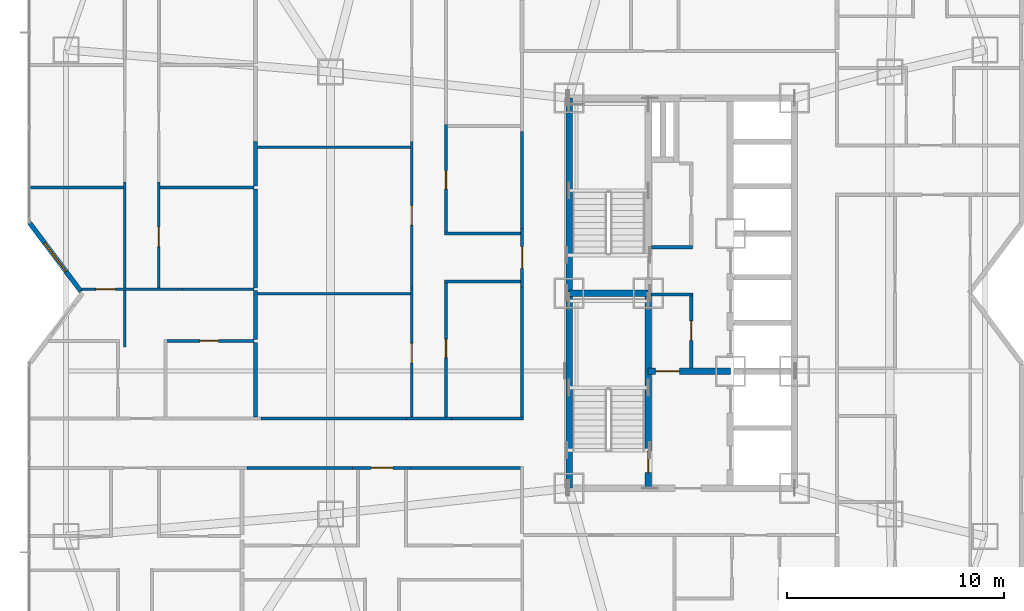
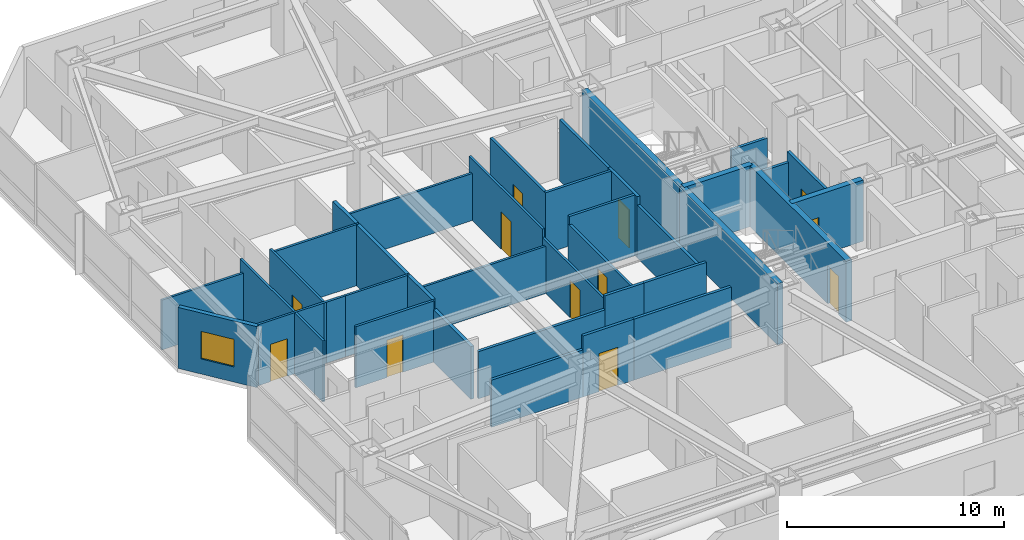
# One storey, part 19 of 25: 37 walls, 12 doors, 1 window, 13 openings.
"""IFC4 building model written with IfcOpenShell, lengths in metres."""

from ifc_helpers import new_model, si_unit, direction, frame, frame_2d, origin, place, context, subcontext, project, spatial, rectangle, extrude, material, layer, layer_set, type_object, element, fill, save


model = new_model("IFC4")

# Units and contexts
model_context = context("Model", 3, precision=1e-05, world=origin(), true_north=direction((0.0, 1.0)))
body_context = subcontext(model_context, "Body", "Model", "MODEL_VIEW")
ifc_project = project(units=[si_unit("LENGTHUNIT", "METRE"), si_unit("AREAUNIT", "SQUARE_METRE"), si_unit("VOLUMEUNIT", "CUBIC_METRE"), si_unit("PLANEANGLEUNIT", "RADIAN"), si_unit("MASSUNIT", "GRAM", prefix="KILO")], contexts=[model_context])

# Site, building, storey
site_placement = place(None, origin())
site = spatial("IfcSite", under=ifc_project, at=site_placement, CompositionType="ELEMENT")
building_placement = place(site_placement, origin())
building = spatial("IfcBuilding", under=site, at=building_placement, Name="Khamvora Tower", CompositionType="ELEMENT")
storey_placement = place(building_placement, frame((0.0, 0.0, 36.949951171875)))
storey = spatial("IfcBuildingStorey", under=building, at=storey_placement, Name="L08", CompositionType="ELEMENT", Elevation=36.949951171875)

# Walls
ifc_material_1 = material(Name="Concrete C50/60", Category="concrete")
ifc_layer_1 = layer(ifc_material_1, 0.300048828125)
ifc_layer_set_1 = layer_set([ifc_layer_1], Name="Concrete C50/60")
wall_type_1 = type_object("IfcWallType", Name="WAL-CORE-300", PredefinedType="SHEAR", material=ifc_layer_set_1)
for number, where, z_axis, x_axis, name in (
    (1, (29.0, 19.0, 0.0), (0.0, 0.0, 1.0), (0.0, 1.0, 0.0), "L08 central core west south wall"),
    (2, (29.0, 28.0, 0.0), (0.0, 0.0, 1.0), (0.0, 1.0, 0.0), "L08 central core west north wall"),
):
    element("IfcWall", number, at=place(storey_placement, frame(where, z_axis=z_axis, x_axis=x_axis)), inside=storey, type_object=wall_type_1, Name=name, PredefinedType="SHEAR", context=body_context, shape_type="SweptSolid", body=[
        extrude(rectangle(XDim=9.0, YDim=0.300048828125, at=frame_2d((4.5, 0.0))), origin(), (0.0, 0.0, 1.0), 3.429931640625),
    ])

# Wall, opening, door
wall_1_placement = place(storey_placement, frame((32.64990234375, 19.0, 0.0), z_axis=(0.0, 0.0, 1.0), x_axis=(0.0, 1.0, 0.0)))
wall_1 = element("IfcWall", 3, at=wall_1_placement, inside=storey, type_object=wall_type_1, Name="L08 central core stair south spine wall", PredefinedType="SHEAR", context=body_context, shape_type="SweptSolid", body=[
    extrude(rectangle(XDim=9.0, YDim=0.300048828125, at=frame_2d((4.5, 0.0))), origin(), (0.0, 0.0, 1.0), 3.429931640625),
])
opening_1_placement = place(wall_1_placement, frame((0.719970703125, 0.0, 0.0)))
opening_1 = element("IfcOpeningElement", 4, at=opening_1_placement, cuts=wall_1, Name="Opening D-ST1", PredefinedType="OPENING", context=body_context, shape_type="SweptSolid", body=[
    extrude(rectangle(XDim=1.0, YDim=2.14990234375, at=frame_2d((0.5, 1.074951171875))), frame((0.0, 0.159912109375, 0.0), z_axis=(0.0, -1.0, 0.0), x_axis=(1.0, 0.0, 0.0)), (0.0, 0.0, 1.0), 0.320068359375),
])
ifc_material_2 = material(Name="Powder-Coated Steel and Hardwood Leaf", Category="steel")
door_type_1 = type_object("IfcDoorType", Name="DOR-STAIR-1000", OperationType="NOTDEFINED", PredefinedType="DOOR", material=ifc_material_2)
door_1_placement = place(opening_1_placement, origin())
door_1 = element("IfcDoor", 5, at=door_1_placement, inside=storey, type_object=door_type_1, Name="L08 exit stair ST-01 fire door", OperationType="SINGLE_SWING_RIGHT", OverallHeight=2.14990234375, OverallWidth=1.0, PredefinedType="DOOR", context=body_context, shape_type="SweptSolid", body=[
    extrude(rectangle(XDim=1.0, YDim=2.14990234375, at=frame_2d((0.5, 1.074951171875))), frame((0.0, 0.02490234375, 0.0), z_axis=(0.0, -1.0, 0.0), x_axis=(1.0, 0.0, 0.0)), (0.0, 0.0, 1.0), 0.050048828125),
])
fill(opening_1, door_1)

# Wall
wall_2_placement = place(storey_placement, frame((29.0, 28.0, 0.0), z_axis=(0.0, 0.0, 1.0), x_axis=(1.0, 0.0, 0.0)))
element("IfcWall", 6, at=wall_2_placement, inside=storey, type_object=wall_type_1, Name="L08 central core stair cross wall", PredefinedType="SHEAR", context=body_context, shape_type="SweptSolid", body=[
    extrude(rectangle(XDim=3.64990234375, YDim=0.300048828125, at=frame_2d((1.824951171875, 0.0))), origin(), (0.0, 0.0, 1.0), 3.429931640625),
])

# Wall, opening, door
wall_3_placement = place(storey_placement, frame((32.64990234375, 24.39990234375, 0.0), z_axis=(0.0, 0.0, 1.0), x_axis=(1.0, 0.0, 0.0)))
wall_3 = element("IfcWall", 7, at=wall_3_placement, inside=storey, type_object=wall_type_1, Name="L08 central core firefighting lobby north wall", PredefinedType="SHEAR", context=body_context, shape_type="SweptSolid", body=[
    extrude(rectangle(XDim=3.800048828125, YDim=0.300048828125, at=frame_2d((1.89990234375, 0.0))), origin(), (0.0, 0.0, 1.0), 3.429931640625),
])
opening_2_placement = place(wall_3_placement, frame((0.35009765625, 0.0, 0.0)))
opening_2 = element("IfcOpeningElement", 8, at=opening_2_placement, cuts=wall_3, Name="Opening D-FF1", PredefinedType="OPENING", context=body_context, shape_type="SweptSolid", body=[
    extrude(rectangle(XDim=1.10009765625, YDim=2.14990234375, at=frame_2d((0.550048828125, 1.074951171875))), frame((0.0, 0.159912109375, 0.0), z_axis=(0.0, -1.0, 0.0), x_axis=(1.0, 0.0, 0.0)), (0.0, 0.0, 1.0), 0.320068359375),
])
door_type_2 = type_object("IfcDoorType", Name="DOR-FFLOB-1100", OperationType="NOTDEFINED", PredefinedType="DOOR", material=ifc_material_2)
door_2_placement = place(opening_2_placement, origin())
door_2 = element("IfcDoor", 9, at=door_2_placement, inside=storey, type_object=door_type_2, Name="L08 firefighting lobby smoke-seal fire door", OperationType="SINGLE_SWING_LEFT", OverallHeight=2.14990234375, OverallWidth=1.10009765625, PredefinedType="DOOR", context=body_context, shape_type="SweptSolid", body=[
    extrude(rectangle(XDim=1.10009765625, YDim=2.14990234375, at=frame_2d((0.550048828125, 1.074951171875))), frame((0.0, 0.02490234375, 0.0), z_axis=(0.0, -1.0, 0.0), x_axis=(1.0, 0.0, 0.0)), (0.0, 0.0, 1.0), 0.050048828125),
])
fill(opening_2, door_2)

# Wall
ifc_material_3 = material(Name="Fire-Rated Drywall and Steel Stud", Category="steel")
ifc_layer_2 = layer(ifc_material_3, 0.14990234375)
ifc_layer_set_2 = layer_set([ifc_layer_2], Name="Fire-Rated Drywall and Steel Stud")
wall_type_2 = type_object("IfcWallType", Name="WAL-CORR-150", PredefinedType="STANDARD", material=ifc_layer_set_2)
wall_4_placement = place(storey_placement, frame((32.7939453125, 30.114990234375, 0.0), z_axis=(0.0, 0.0, 1.0), x_axis=(1.0, 0.0, 0.0)))
element("IfcWall", 10, at=wall_4_placement, inside=storey, type_object=wall_type_2, Name="L08 interior partition wall 001", PredefinedType="STANDARD", context=body_context, shape_type="SweptSolid", body=[
    extrude(rectangle(XDim=1.906005859375, YDim=0.14990234375, at=frame_2d((0.953125, 0.0))), origin(), (0.0, 0.0, 1.0), 2.886962890625),
])

# Wall, opening, door
wall_5_placement = place(storey_placement, frame((34.635009765625, 24.5439453125, 0.0), z_axis=(0.0, 0.0, 1.0), x_axis=(0.0, 1.0, 0.0)))
wall_5 = element("IfcWall", 11, at=wall_5_placement, inside=storey, type_object=wall_type_2, Name="L08 interior partition wall 004", PredefinedType="STANDARD", context=body_context, shape_type="SweptSolid", body=[
    extrude(rectangle(XDim=3.4560546875, YDim=0.14990234375, at=frame_2d((1.72802734375, 0.0))), origin(), (0.0, 0.0, 1.0), 3.429931640625),
])
opening_3_placement = place(wall_5_placement, frame((1.278076171875, 0.0, 0.0)))
opening_3 = element("IfcOpeningElement", 12, at=opening_3_placement, cuts=wall_5, Name="Opening D-RM1", PredefinedType="OPENING", context=body_context, shape_type="SweptSolid", body=[
    extrude(rectangle(XDim=0.89990234375, YDim=2.10009765625, at=frame_2d((0.449951171875, 1.050048828125))), frame((0.0, 0.0849609375, 0.0), z_axis=(0.0, -1.0, 0.0), x_axis=(1.0, 0.0, 0.0)), (0.0, 0.0, 1.0), 0.169921875),
])
door_type_3 = type_object("IfcDoorType", Name="DOR-ROOM-900", OperationType="NOTDEFINED", PredefinedType="DOOR", material=ifc_material_2)
door_3_placement = place(opening_3_placement, origin())
door_3 = element("IfcDoor", 13, at=door_3_placement, inside=storey, type_object=door_type_3, Name="L08 interior door PLL-CS2", OperationType="SINGLE_SWING_LEFT", OverallHeight=2.10009765625, OverallWidth=0.89990234375, PredefinedType="DOOR", context=body_context, shape_type="SweptSolid", body=[
    extrude(rectangle(XDim=0.89990234375, YDim=2.10009765625, at=frame_2d((0.449951171875, 1.050048828125))), frame((0.0, 0.02490234375, 0.0), z_axis=(0.0, -1.0, 0.0), x_axis=(1.0, 0.0, 0.0)), (0.0, 0.0, 1.0), 0.050048828125),
])
fill(opening_3, door_3)

# Wall
wall_6_placement = place(storey_placement, frame((34.699951171875, 27.93505859375, 0.0), z_axis=(0.0, 0.0, 1.0), x_axis=(-1.0, 0.0, 0.0)))
element("IfcWall", 14, at=wall_6_placement, inside=storey, type_object=wall_type_2, Name="L08 interior partition wall 005", PredefinedType="STANDARD", context=body_context, shape_type="SweptSolid", body=[
    extrude(rectangle(XDim=1.906005859375, YDim=0.14990234375, at=frame_2d((0.953125, 0.0))), origin(), (0.0, 0.0, 1.0), 2.886962890625),
])

# Wall, opening, door
wall_7_placement = place(storey_placement, frame((21.718994140625, 19.93505859375, 0.0), z_axis=(0.0, 0.0, 1.0), x_axis=(-1.0, 0.0, 0.0)))
wall_7 = element("IfcWall", 15, at=wall_7_placement, inside=storey, type_object=wall_type_2, Name="L08 interior partition wall 010", PredefinedType="STANDARD", context=body_context, shape_type="SweptSolid", body=[
    extrude(rectangle(XDim=2.697998046875, YDim=0.14990234375, at=frame_2d((1.34912109375, 0.0))), origin(), (0.0, 0.0, 1.0), 3.429931640625),
])
opening_4_placement = place(wall_7_placement, frame((0.84912109375, 0.0, 0.0)))
opening_4 = element("IfcOpeningElement", 16, at=opening_4_placement, cuts=wall_7, Name="Opening D-U1", PredefinedType="OPENING", context=body_context, shape_type="SweptSolid", body=[
    extrude(rectangle(XDim=1.0, YDim=2.14990234375, at=frame_2d((0.5, 1.074951171875))), frame((0.0, 0.0849609375, 0.0), z_axis=(0.0, -1.0, 0.0), x_axis=(1.0, 0.0, 0.0)), (0.0, 0.0, 1.0), 0.169921875),
])
door_type_4 = type_object("IfcDoorType", Name="DOR-UNIT-1000", OperationType="NOTDEFINED", PredefinedType="DOOR", material=ifc_material_2)
door_4_placement = place(opening_4_placement, origin())
door_4 = element("IfcDoor", 17, at=door_4_placement, inside=storey, type_object=door_type_4, Name="L08 interior door COR-08WBH", OperationType="SINGLE_SWING_RIGHT", OverallHeight=2.14990234375, OverallWidth=1.0, PredefinedType="DOOR", context=body_context, shape_type="SweptSolid", body=[
    extrude(rectangle(XDim=1.0, YDim=2.14990234375, at=frame_2d((0.5, 1.074951171875))), frame((0.0, 0.02490234375, 0.0), z_axis=(0.0, -1.0, 0.0), x_axis=(1.0, 0.0, 0.0)), (0.0, 0.0, 1.0), 0.050048828125),
])
fill(opening_4, door_4)

# Walls
wall_8_placement = place(storey_placement, frame((26.89794921875, 19.93505859375, 0.0), z_axis=(0.0, 0.0, 1.0), x_axis=(-1.0, 0.0, 0.0)))
element("IfcWall", 18, at=wall_8_placement, inside=storey, type_object=wall_type_2, Name="L08 interior partition wall 012", PredefinedType="STANDARD", context=body_context, shape_type="SweptSolid", body=[
    extrude(rectangle(XDim=5.178955078125, YDim=0.14990234375, at=frame_2d((2.58935546875, 0.0))), origin(), (0.0, 0.0, 1.0), 3.429931640625),
])
wall_9_placement = place(storey_placement, frame((19.02099609375, 19.93505859375, 0.0), z_axis=(0.0, 0.0, 1.0), x_axis=(-1.0, 0.0, 0.0)))
element("IfcWall", 19, at=wall_9_placement, inside=storey, type_object=wall_type_2, Name="L08 interior partition wall 013", PredefinedType="STANDARD", context=body_context, shape_type="SweptSolid", body=[
    extrude(rectangle(XDim=4.866943359375, YDim=0.14990234375, at=frame_2d((2.43359375, 0.0))), origin(), (0.0, 0.0, 1.0), 2.64697265625),
])

# Wall, opening, door
wall_10_placement = place(storey_placement, frame((26.8349609375, 28.2919921875, 0.0), z_axis=(0.0, 0.0, 1.0), x_axis=(0.0, 1.0, 0.0)))
wall_10 = element("IfcWall", 20, at=wall_10_placement, inside=storey, type_object=wall_type_2, Name="L08 interior partition wall 018", PredefinedType="STANDARD", context=body_context, shape_type="SweptSolid", body=[
    extrude(rectangle(XDim=2.697998046875, YDim=0.14990234375, at=frame_2d((1.34912109375, 0.0))), origin(), (0.0, 0.0, 1.0), 3.429931640625),
])
opening_5_placement = place(wall_10_placement, frame((0.84912109375, 0.0, 0.0)))
opening_5 = element("IfcOpeningElement", 21, at=opening_5_placement, cuts=wall_10, Name="Opening D-U1", PredefinedType="OPENING", context=body_context, shape_type="SweptSolid", body=[
    extrude(rectangle(XDim=1.0, YDim=2.14990234375, at=frame_2d((0.5, 1.074951171875))), frame((0.0, 0.0849609375, 0.0), z_axis=(0.0, -1.0, 0.0), x_axis=(1.0, 0.0, 0.0)), (0.0, 0.0, 1.0), 0.169921875),
])
door_5_placement = place(opening_5_placement, origin())
door_5 = element("IfcDoor", 22, at=door_5_placement, inside=storey, type_object=door_type_4, Name="L08 interior door COR-08WC2H", OperationType="SINGLE_SWING_RIGHT", OverallHeight=2.14990234375, OverallWidth=1.0, PredefinedType="DOOR", context=body_context, shape_type="SweptSolid", body=[
    extrude(rectangle(XDim=1.0, YDim=2.14990234375, at=frame_2d((0.5, 1.074951171875))), frame((0.0, 0.02490234375, 0.0), z_axis=(0.0, -1.0, 0.0), x_axis=(1.0, 0.0, 0.0)), (0.0, 0.0, 1.0), 0.050048828125),
])
fill(opening_5, door_5)

# Walls
wall_11_placement = place(storey_placement, frame((21.4951171875, 22.215087890625, 0.0), z_axis=(0.0, 0.0, 1.0), x_axis=(1.0, 0.0, 0.0)))
element("IfcWall", 23, at=wall_11_placement, inside=storey, type_object=wall_type_2, Name="L08 interior partition wall 019", PredefinedType="STANDARD", context=body_context, shape_type="SweptSolid", body=[
    extrude(rectangle(XDim=2.077880859375, YDim=0.14990234375, at=frame_2d((1.0390625, 0.0))), origin(), (0.0, 0.0, 1.0), 3.429931640625),
])
wall_12_placement = place(storey_placement, frame((26.8349609375, 30.989990234375, 0.0), z_axis=(0.0, 0.0, 1.0), x_axis=(0.0, 1.0, 0.0)))
element("IfcWall", 24, at=wall_12_placement, inside=storey, type_object=wall_type_2, Name="L08 interior partition wall 020", PredefinedType="STANDARD", context=body_context, shape_type="SweptSolid", body=[
    extrude(rectangle(XDim=4.467041015625, YDim=0.14990234375, at=frame_2d((2.2333984375, 0.0))), origin(), (0.0, 0.0, 1.0), 3.429931640625),
])
wall_13_placement = place(storey_placement, frame((26.8349609375, 22.14990234375, 0.0), z_axis=(0.0, 0.0, 1.0), x_axis=(0.0, 1.0, 0.0)))
element("IfcWall", 25, at=wall_13_placement, inside=storey, type_object=wall_type_2, Name="L08 interior partition wall 021", PredefinedType="STANDARD", context=body_context, shape_type="SweptSolid", body=[
    extrude(rectangle(XDim=6.14208984375, YDim=0.14990234375, at=frame_2d((3.071044921875, 0.0))), origin(), (0.0, 0.0, 1.0), 2.95703125),
])
wall_14_placement = place(storey_placement, frame((23.572998046875, 22.215087890625, 0.0), z_axis=(0.0, 0.0, 1.0), x_axis=(1.0, 0.0, 0.0)))
element("IfcWall", 26, at=wall_14_placement, inside=storey, type_object=wall_type_2, Name="L08 interior partition wall 022", PredefinedType="STANDARD", context=body_context, shape_type="SweptSolid", body=[
    extrude(rectangle(XDim=3.324951171875, YDim=0.14990234375, at=frame_2d((1.66259765625, 0.0))), origin(), (0.0, 0.0, 1.0), 3.429931640625),
])
wall_15_placement = place(storey_placement, frame((14.782958984375, 22.215087890625, 0.0), z_axis=(0.0, 0.0, 1.0), x_axis=(1.0, 0.0, 0.0)))
element("IfcWall", 27, at=wall_15_placement, inside=storey, type_object=wall_type_2, Name="L08 interior partition wall 023", PredefinedType="STANDARD", context=body_context, shape_type="SweptSolid", body=[
    extrude(rectangle(XDim=6.712158203125, YDim=0.14990234375, at=frame_2d((3.35595703125, 0.0))), origin(), (0.0, 0.0, 1.0), 2.64697265625),
])
ifc_material_4 = material(Name="Acoustic Double-Stud Fire Wall", Category="gypsum")
ifc_layer_3 = layer(ifc_material_4, 0.179931640625)
ifc_layer_set_3 = layer_set([ifc_layer_3], Name="Acoustic Double-Stud Fire Wall")
wall_type_3 = type_object("IfcWallType", Name="WAL-CORR-180", PredefinedType="STANDARD", material=ifc_layer_set_3)
wall_16_placement = place(storey_placement, frame((14.533935546875, 28.110107421875, 0.0), z_axis=(0.0, 0.0, 1.0), x_axis=(0.0, -1.0, 0.0)))
element("IfcWall", 28, at=wall_16_placement, inside=storey, type_object=wall_type_3, Name="L08 interior partition wall 090", PredefinedType="STANDARD", context=body_context, shape_type="SweptSolid", body=[
    extrude(rectangle(XDim=2.25, YDim=0.179931640625, at=frame_2d((1.125, 0.0))), origin(), (0.0, 0.0, 1.0), 3.429931640625),
])
wall_17_placement = place(storey_placement, frame((14.533935546875, 25.72998046875, 0.0), z_axis=(0.0, 0.0, 1.0), x_axis=(0.0, -1.0, 0.0)))
element("IfcWall", 29, at=wall_17_placement, inside=storey, type_object=wall_type_3, Name="L08 interior partition wall 091", PredefinedType="STANDARD", context=body_context, shape_type="SweptSolid", body=[
    extrude(rectangle(XDim=3.449951171875, YDim=0.179931640625, at=frame_2d((1.72509765625, 0.0))), origin(), (0.0, 0.0, 1.0), 2.95703125),
])
wall_18_placement = place(storey_placement, frame((14.533935546875, 32.80810546875, 0.0), z_axis=(0.0, 0.0, 1.0), x_axis=(0.0, -1.0, 0.0)))
element("IfcWall", 30, at=wall_18_placement, inside=storey, type_object=wall_type_3, Name="L08 interior partition wall 096", PredefinedType="STANDARD", context=body_context, shape_type="SweptSolid", body=[
    extrude(rectangle(XDim=4.568115234375, YDim=0.179931640625, at=frame_2d((2.2841796875, 0.0))), origin(), (0.0, 0.0, 1.0), 3.429931640625),
])
wall_19_placement = place(storey_placement, frame((14.533935546875, 34.986083984375, 0.0), z_axis=(0.0, 0.0, 1.0), x_axis=(0.0, -1.0, 0.0)))
element("IfcWall", 31, at=wall_19_placement, inside=storey, type_object=wall_type_3, Name="L08 interior partition wall 098", PredefinedType="STANDARD", context=body_context, shape_type="SweptSolid", body=[
    extrude(rectangle(XDim=2.048095703125, YDim=0.179931640625, at=frame_2d((1.02392578125, 0.0))), origin(), (0.0, 0.0, 1.0), 3.429931640625),
])

# Wall, opening, window
ifc_material_5 = material(Name="Precast concrete C40/50", Category="concrete")
ifc_layer_4 = layer(ifc_material_5, 0.219970703125)
ifc_layer_set_4 = layer_set([ifc_layer_4], Name="Precast concrete C40/50")
wall_type_4 = type_object("IfcWallType", Name="WAL-EXT-220", PredefinedType="STANDARD", material=ifc_layer_set_4)
wall_20_placement = place(storey_placement, frame((6.47998046875, 28.076904296875, 0.0), z_axis=(0.0, 0.0, 1.0), x_axis=(-0.599960442794, 0.800029666377, 0.0)))
wall_20 = element("IfcWall", 32, at=wall_20_placement, inside=storey, type_object=wall_type_4, Name="L08 exterior facade wall 04.1", PredefinedType="STANDARD", context=body_context, shape_type="SweptSolid", body=[
    extrude(rectangle(XDim=3.949951171875, YDim=0.219970703125, at=frame_2d((1.97509765625, 0.0))), origin(), (0.0, 0.0, 1.0), 3.429931640625),
])
opening_6_placement = place(wall_20_placement, frame((1.14990234375, 0.0, 0.85009765625)))
opening_6 = element("IfcOpeningElement", 33, at=opening_6_placement, cuts=wall_20, Name="Opening WN-06", PredefinedType="OPENING", context=body_context, shape_type="SweptSolid", body=[
    extrude(rectangle(XDim=1.64990234375, YDim=1.550048828125, at=frame_2d((0.824951171875, 0.77490234375))), frame((0.0, 0.119873046875, 0.0), z_axis=(0.0, -1.0, 0.0), x_axis=(1.0, 0.0, 0.0)), (0.0, 0.0, 1.0), 0.239990234375),
])
ifc_material_6 = material(Name="Low-E Laminated Double Glazing", Category="glass")
window_type = type_object("IfcWindowType", Name="WIN-VIS-1650x1550", PartitioningType="SINGLE_PANEL", PredefinedType="WINDOW", material=ifc_material_6)
window_placement = place(opening_6_placement, origin())
window = element("IfcWindow", 34, at=window_placement, inside=storey, type_object=window_type, Name="L08 vision window 04.1.01", OverallHeight=1.550048828125, OverallWidth=1.64990234375, PartitioningType="SINGLE_PANEL", PredefinedType="WINDOW", context=body_context, shape_type="SweptSolid", body=[
    extrude(rectangle(XDim=1.64990234375, YDim=1.550048828125, at=frame_2d((0.824951171875, 0.77490234375))), frame((0.0, 0.030029296875, 0.0), z_axis=(0.0, -1.0, 0.0), x_axis=(1.0, 0.0, 0.0)), (0.0, 0.0, 1.0), 0.06005859375),
])
fill(opening_6, window)

# Wall, opening, door
ifc_material_7 = material(Name="Gypsum Plasterboard Partition", Category="gypsum")
ifc_layer_5 = layer(ifc_material_7, 0.1201171875)
ifc_layer_set_5 = layer_set([ifc_layer_5], Name="Gypsum Plasterboard Partition")
wall_type_5 = type_object("IfcWallType", Name="WAL-PART-120", PredefinedType="PARTITIONING", material=ifc_layer_set_5)
wall_21_placement = place(storey_placement, frame((6.51806640625, 28.175048828125, 0.0), z_axis=(0.0, 0.0, 1.0), x_axis=(1.0, 0.0, 0.0)))
wall_21 = element("IfcWall", 35, at=wall_21_placement, inside=storey, type_object=wall_type_5, Name="L08 interior partition wall 080", PredefinedType="PARTITIONING", context=body_context, shape_type="SweptSolid", body=[
    extrude(rectangle(XDim=4.65087890625, YDim=0.1201171875, at=frame_2d((2.325439453125, 0.0))), origin(), (0.0, 0.0, 1.0), 3.429931640625),
])
opening_7_placement = place(wall_21_placement, frame((0.64697265625, 0.0, 0.0)))
opening_7 = element("IfcOpeningElement", 36, at=opening_7_placement, cuts=wall_21, Name="Opening D-RM1", PredefinedType="OPENING", context=body_context, shape_type="SweptSolid", body=[
    extrude(rectangle(XDim=0.89990234375, YDim=2.10009765625, at=frame_2d((0.449951171875, 1.050048828125))), frame((0.0, 0.070068359375, 0.0), z_axis=(0.0, -1.0, 0.0), x_axis=(1.0, 0.0, 0.0)), (0.0, 0.0, 1.0), 0.14013671875),
])
door_6_placement = place(opening_7_placement, origin())
door_6 = element("IfcDoor", 37, at=door_6_placement, inside=storey, type_object=door_type_3, Name="L08 interior door 08WC1H-08WC1L", OperationType="SINGLE_SWING_LEFT", OverallHeight=2.10009765625, OverallWidth=0.89990234375, PredefinedType="DOOR", context=body_context, shape_type="SweptSolid", body=[
    extrude(rectangle(XDim=0.89990234375, YDim=2.10009765625, at=frame_2d((0.449951171875, 1.050048828125))), frame((0.0, 0.02490234375, 0.0), z_axis=(0.0, -1.0, 0.0), x_axis=(1.0, 0.0, 0.0)), (0.0, 0.0, 1.0), 0.050048828125),
])
fill(opening_7, door_6)

# Wall
wall_22_placement = place(storey_placement, frame((8.50390625, 25.510009765625, 0.0), z_axis=(0.0, 0.0, 1.0), x_axis=(0.0, 1.0, 0.0)))
element("IfcWall", 38, at=wall_22_placement, inside=storey, type_object=wall_type_5, Name="L08 interior partition wall 081", PredefinedType="PARTITIONING", context=body_context, shape_type="SweptSolid", body=[
    extrude(rectangle(XDim=7.613037109375, YDim=0.1201171875, at=frame_2d((3.806640625, 0.0))), origin(), (0.0, 0.0, 1.0), 3.429931640625),
])

# Wall, opening, door
wall_23_placement = place(storey_placement, frame((10.073974609375, 33.123046875, 0.0), z_axis=(0.0, 0.0, 1.0), x_axis=(0.0, -1.0, 0.0)))
wall_23 = element("IfcWall", 39, at=wall_23_placement, inside=storey, type_object=wall_type_5, Name="L08 interior partition wall 085", PredefinedType="PARTITIONING", context=body_context, shape_type="SweptSolid", body=[
    extrude(rectangle(XDim=5.012939453125, YDim=0.1201171875, at=frame_2d((2.50634765625, 0.0))), origin(), (0.0, 0.0, 1.0), 3.429931640625),
])
opening_8_placement = place(wall_23_placement, frame((2.077880859375, 0.0, 0.0)))
opening_8 = element("IfcOpeningElement", 40, at=opening_8_placement, cuts=wall_23, Name="Opening D-RM1", PredefinedType="OPENING", context=body_context, shape_type="SweptSolid", body=[
    extrude(rectangle(XDim=0.89990234375, YDim=2.10009765625, at=frame_2d((0.449951171875, 1.050048828125))), frame((0.0, 0.070068359375, 0.0), z_axis=(0.0, -1.0, 0.0), x_axis=(1.0, 0.0, 0.0)), (0.0, 0.0, 1.0), 0.14013671875),
])
door_7_placement = place(opening_8_placement, origin())
door_7 = element("IfcDoor", 41, at=door_7_placement, inside=storey, type_object=door_type_3, Name="L08 interior door 08WC1H-08WC1R5", OperationType="SINGLE_SWING_LEFT", OverallHeight=2.10009765625, OverallWidth=0.89990234375, PredefinedType="DOOR", context=body_context, shape_type="SweptSolid", body=[
    extrude(rectangle(XDim=0.89990234375, YDim=2.10009765625, at=frame_2d((0.449951171875, 1.050048828125))), frame((0.0, 0.02490234375, 0.0), z_axis=(0.0, -1.0, 0.0), x_axis=(1.0, 0.0, 0.0)), (0.0, 0.0, 1.0), 0.050048828125),
])
fill(opening_8, door_7)

# Walls
wall_24_placement = place(storey_placement, frame((11.1689453125, 28.175048828125, 0.0), z_axis=(0.0, 0.0, 1.0), x_axis=(1.0, 0.0, 0.0)))
element("IfcWall", 42, at=wall_24_placement, inside=storey, type_object=wall_type_5, Name="L08 interior partition wall 086", PredefinedType="PARTITIONING", context=body_context, shape_type="SweptSolid", body=[
    extrude(rectangle(XDim=3.300048828125, YDim=0.1201171875, at=frame_2d((1.64990234375, 0.0))), origin(), (0.0, 0.0, 1.0), 3.429931640625),
])
wall_25_placement = place(storey_placement, frame((4.110107421875, 32.873046875, 0.0), z_axis=(0.0, 0.0, 1.0), x_axis=(1.0, 0.0, 0.0)))
element("IfcWall", 43, at=wall_25_placement, inside=storey, type_object=wall_type_5, Name="L08 interior partition wall 092", PredefinedType="PARTITIONING", context=body_context, shape_type="SweptSolid", body=[
    extrude(rectangle(XDim=4.33984375, YDim=0.1201171875, at=frame_2d((2.169921875, 0.0))), origin(), (0.0, 0.0, 1.0), 2.802978515625),
])
wall_26_placement = place(storey_placement, frame((10.1279296875, 32.873046875, 0.0), z_axis=(0.0, 0.0, 1.0), x_axis=(1.0, 0.0, 0.0)))
element("IfcWall", 44, at=wall_26_placement, inside=storey, type_object=wall_type_5, Name="L08 interior partition wall 095", PredefinedType="PARTITIONING", context=body_context, shape_type="SweptSolid", body=[
    extrude(rectangle(XDim=4.341064453125, YDim=0.1201171875, at=frame_2d((2.17041015625, 0.0))), origin(), (0.0, 0.0, 1.0), 3.429931640625),
])

# Wall, opening, door
wall_27_placement = place(storey_placement, frame((21.743896484375, 22.280029296875, 0.0), z_axis=(0.0, 0.0, 1.0), x_axis=(0.0, 1.0, 0.0)))
wall_27 = element("IfcWall", 45, at=wall_27_placement, inside=storey, type_object=wall_type_5, Name="L08 interior partition wall 114", PredefinedType="PARTITIONING", context=body_context, shape_type="SweptSolid", body=[
    extrude(rectangle(XDim=5.945068359375, YDim=0.1201171875, at=frame_2d((2.97265625, 0.0))), origin(), (0.0, 0.0, 1.0), 2.95703125),
])
opening_9_placement = place(wall_27_placement, frame((2.5009765625, 0.0, 0.0)))
opening_9 = element("IfcOpeningElement", 46, at=opening_9_placement, cuts=wall_27, Name="Opening D-RM1", PredefinedType="OPENING", context=body_context, shape_type="SweptSolid", body=[
    extrude(rectangle(XDim=0.89990234375, YDim=2.10009765625, at=frame_2d((0.449951171875, 1.050048828125))), frame((0.0, 0.070068359375, 0.0), z_axis=(0.0, -1.0, 0.0), x_axis=(1.0, 0.0, 0.0)), (0.0, 0.0, 1.0), 0.14013671875),
])
door_8_placement = place(opening_9_placement, origin())
door_8 = element("IfcDoor", 47, at=door_8_placement, inside=storey, type_object=door_type_3, Name="L08 interior door 08WC2H-08WC2R1", OperationType="SINGLE_SWING_RIGHT", OverallHeight=2.10009765625, OverallWidth=0.89990234375, PredefinedType="DOOR", context=body_context, shape_type="SweptSolid", body=[
    extrude(rectangle(XDim=0.89990234375, YDim=2.10009765625, at=frame_2d((0.449951171875, 1.050048828125))), frame((0.0, 0.02490234375, 0.0), z_axis=(0.0, -1.0, 0.0), x_axis=(1.0, 0.0, 0.0)), (0.0, 0.0, 1.0), 0.050048828125),
])
fill(opening_9, door_8)

wall_28_placement = place(storey_placement, frame((21.743896484375, 28.22509765625, 0.0), z_axis=(0.0, 0.0, 1.0), x_axis=(0.0, 1.0, 0.0)))
wall_28 = element("IfcWall", 48, at=wall_28_placement, inside=storey, type_object=wall_type_5, Name="L08 interior partition wall 115", PredefinedType="PARTITIONING", context=body_context, shape_type="SweptSolid", body=[
    extrude(rectangle(XDim=6.760986328125, YDim=0.1201171875, at=frame_2d((3.38037109375, 0.0))), origin(), (0.0, 0.0, 1.0), 3.429931640625),
])
opening_10_placement = place(wall_28_placement, frame((2.908935546875, 0.0, 0.0)))
opening_10 = element("IfcOpeningElement", 49, at=opening_10_placement, cuts=wall_28, Name="Opening D-RM1", PredefinedType="OPENING", context=body_context, shape_type="SweptSolid", body=[
    extrude(rectangle(XDim=0.89990234375, YDim=2.10009765625, at=frame_2d((0.449951171875, 1.050048828125))), frame((0.0, 0.070068359375, 0.0), z_axis=(0.0, -1.0, 0.0), x_axis=(1.0, 0.0, 0.0)), (0.0, 0.0, 1.0), 0.14013671875),
])
door_9_placement = place(opening_10_placement, origin())
door_9 = element("IfcDoor", 50, at=door_9_placement, inside=storey, type_object=door_type_3, Name="L08 interior door 08WC2H-08WC2R2", OperationType="SINGLE_SWING_LEFT", OverallHeight=2.10009765625, OverallWidth=0.89990234375, PredefinedType="DOOR", context=body_context, shape_type="SweptSolid", body=[
    extrude(rectangle(XDim=0.89990234375, YDim=2.10009765625, at=frame_2d((0.449951171875, 1.050048828125))), frame((0.0, 0.02490234375, 0.0), z_axis=(0.0, -1.0, 0.0), x_axis=(1.0, 0.0, 0.0)), (0.0, 0.0, 1.0), 0.050048828125),
])
fill(opening_10, door_9)

# Walls
for number, where, z_axis, x_axis, name in (
    (51, (14.615966796875, 27.97607421875, 0.0), (0.0, 0.0, 1.0), (1.0, 0.0, 0.0), "L08 interior partition wall 119"),
    (52, (14.615966796875, 34.737060546875, 0.0), (0.0, 0.0, 1.0), (1.0, 0.0, 0.0), "L08 interior partition wall 120"),
):
    element("IfcWall", number, at=place(storey_placement, frame(where, z_axis=z_axis, x_axis=x_axis)), inside=storey, type_object=wall_type_5, Name=name, PredefinedType="PARTITIONING", context=body_context, shape_type="SweptSolid", body=[
        extrude(rectangle(XDim=7.073974609375, YDim=0.1201171875, at=frame_2d((3.537109375, 0.0))), origin(), (0.0, 0.0, 1.0), 2.64697265625),
    ])

# Wall, opening, door
ifc_material_8 = material(Name="Moisture-Resistant Plasterboard Partition", Category="gypsum")
ifc_layer_6 = layer(ifc_material_8, 0.135009765625)
ifc_layer_set_6 = layer_set([ifc_layer_6], Name="Moisture-Resistant Plasterboard Partition")
wall_type_6 = type_object("IfcWallType", Name="WAL-WET-135", PredefinedType="PARTITIONING", material=ifc_layer_set_6)
wall_29_placement = place(storey_placement, frame((14.468994140625, 25.794921875, 0.0), z_axis=(0.0, 0.0, 1.0), x_axis=(-1.0, 0.0, 0.0)))
wall_29 = element("IfcWall", 53, at=wall_29_placement, inside=storey, type_object=wall_type_6, Name="L08 interior partition wall 078", PredefinedType="PARTITIONING", context=body_context, shape_type="SweptSolid", body=[
    extrude(rectangle(XDim=4.14501953125, YDim=0.135009765625, at=frame_2d((2.072509765625, 0.0))), origin(), (0.0, 0.0, 1.0), 3.429931640625),
])
opening_11_placement = place(wall_29_placement, frame((1.64697265625, 0.0, 0.0)))
opening_11 = element("IfcOpeningElement", 54, at=opening_11_placement, cuts=wall_29, Name="Opening D-RM2", PredefinedType="OPENING", context=body_context, shape_type="SweptSolid", body=[
    extrude(rectangle(XDim=0.85009765625, YDim=2.10009765625, at=frame_2d((0.425048828125, 1.050048828125))), frame((0.0, 0.077392578125, 0.0), z_axis=(0.0, -1.0, 0.0), x_axis=(1.0, 0.0, 0.0)), (0.0, 0.0, 1.0), 0.155029296875),
])
door_type_5 = type_object("IfcDoorType", Name="DOR-ROOM-850", OperationType="NOTDEFINED", PredefinedType="DOOR", material=ifc_material_2)
door_10_placement = place(opening_11_placement, origin())
door_10 = element("IfcDoor", 55, at=door_10_placement, inside=storey, type_object=door_type_5, Name="L08 interior door 08WC1H-08WC1K", OperationType="SINGLE_SWING_RIGHT", OverallHeight=2.10009765625, OverallWidth=0.85009765625, PredefinedType="DOOR", context=body_context, shape_type="SweptSolid", body=[
    extrude(rectangle(XDim=0.85009765625, YDim=2.10009765625, at=frame_2d((0.425048828125, 1.050048828125))), frame((0.0, 0.02490234375, 0.0), z_axis=(0.0, -1.0, 0.0), x_axis=(1.0, 0.0, 0.0)), (0.0, 0.0, 1.0), 0.050048828125),
])
fill(opening_11, door_10)

wall_30_placement = place(storey_placement, frame((23.323974609375, 35.77099609375, 0.0), z_axis=(0.0, 0.0, 1.0), x_axis=(0.0, -1.0, 0.0)))
wall_30 = element("IfcWall", 56, at=wall_30_placement, inside=storey, type_object=wall_type_6, Name="L08 interior partition wall 110", PredefinedType="PARTITIONING", context=body_context, shape_type="SweptSolid", body=[
    extrude(rectangle(XDim=5.094970703125, YDim=0.135009765625, at=frame_2d((2.54736328125, 0.0))), origin(), (0.0, 0.0, 1.0), 3.429931640625),
])
opening_12_placement = place(wall_30_placement, frame((2.123046875, 0.0, 0.0)))
opening_12 = element("IfcOpeningElement", 57, at=opening_12_placement, cuts=wall_30, Name="Opening D-WC1", PredefinedType="OPENING", context=body_context, shape_type="SweptSolid", body=[
    extrude(rectangle(XDim=0.85009765625, YDim=2.10009765625, at=frame_2d((0.425048828125, 1.050048828125))), frame((0.0, 0.077392578125, 0.0), z_axis=(0.0, -1.0, 0.0), x_axis=(1.0, 0.0, 0.0)), (0.0, 0.0, 1.0), 0.155029296875),
])
door_type_6 = type_object("IfcDoorType", Name="DOR-WET-850", OperationType="NOTDEFINED", PredefinedType="DOOR", material=ifc_material_2)
door_11_placement = place(opening_12_placement, origin())
door_11 = element("IfcDoor", 58, at=door_11_placement, inside=storey, type_object=door_type_6, Name="L08 interior door 08WC2H-08WC2B", OperationType="SINGLE_SWING_RIGHT", OverallHeight=2.10009765625, OverallWidth=0.85009765625, PredefinedType="DOOR", context=body_context, shape_type="SweptSolid", body=[
    extrude(rectangle(XDim=0.85009765625, YDim=2.10009765625, at=frame_2d((0.425048828125, 1.050048828125))), frame((0.0, 0.02490234375, 0.0), z_axis=(0.0, -1.0, 0.0), x_axis=(1.0, 0.0, 0.0)), (0.0, 0.0, 1.0), 0.050048828125),
])
fill(opening_12, door_11)

# Walls
for number, where, z_axis, x_axis, name in (
    (59, (23.259033203125, 30.740966796875, 0.0), (0.0, 0.0, 1.0), (1.0, 0.0, 0.0), "L08 interior partition wall 111"),
    (60, (26.77001953125, 28.541015625, 0.0), (0.0, 0.0, 1.0), (-1.0, 0.0, 0.0), "L08 interior partition wall 112"),
):
    element("IfcWall", number, at=place(storey_placement, frame(where, z_axis=z_axis, x_axis=x_axis)), inside=storey, type_object=wall_type_6, Name=name, PredefinedType="PARTITIONING", context=body_context, shape_type="SweptSolid", body=[
        extrude(rectangle(XDim=3.510986328125, YDim=0.135009765625, at=frame_2d((1.75537109375, 0.0))), origin(), (0.0, 0.0, 1.0), 3.429931640625),
    ])

# Wall, opening, door
wall_31_placement = place(storey_placement, frame((23.323974609375, 28.60595703125, 0.0), z_axis=(0.0, 0.0, 1.0), x_axis=(0.0, -1.0, 0.0)))
wall_31 = element("IfcWall", 61, at=wall_31_placement, inside=storey, type_object=wall_type_6, Name="L08 interior partition wall 113", PredefinedType="PARTITIONING", context=body_context, shape_type="SweptSolid", body=[
    extrude(rectangle(XDim=6.325927734375, YDim=0.135009765625, at=frame_2d((3.1630859375, 0.0))), origin(), (0.0, 0.0, 1.0), 2.95703125),
])
opening_13_placement = place(wall_31_placement, frame((2.738037109375, 0.0, 0.0)))
opening_13 = element("IfcOpeningElement", 62, at=opening_13_placement, cuts=wall_31, Name="Opening D-RM2", PredefinedType="OPENING", context=body_context, shape_type="SweptSolid", body=[
    extrude(rectangle(XDim=0.85009765625, YDim=2.10009765625, at=frame_2d((0.425048828125, 1.050048828125))), frame((0.0, 0.077392578125, 0.0), z_axis=(0.0, -1.0, 0.0), x_axis=(1.0, 0.0, 0.0)), (0.0, 0.0, 1.0), 0.155029296875),
])
door_12_placement = place(opening_13_placement, origin())
door_12 = element("IfcDoor", 63, at=door_12_placement, inside=storey, type_object=door_type_5, Name="L08 interior door 08WC2H-08WC2K", OperationType="SINGLE_SWING_LEFT", OverallHeight=2.10009765625, OverallWidth=0.85009765625, PredefinedType="DOOR", context=body_context, shape_type="SweptSolid", body=[
    extrude(rectangle(XDim=0.85009765625, YDim=2.10009765625, at=frame_2d((0.425048828125, 1.050048828125))), frame((0.0, 0.02490234375, 0.0), z_axis=(0.0, -1.0, 0.0), x_axis=(1.0, 0.0, 0.0)), (0.0, 0.0, 1.0), 0.050048828125),
])
fill(opening_13, door_12)

save(model, "model.ifc")
